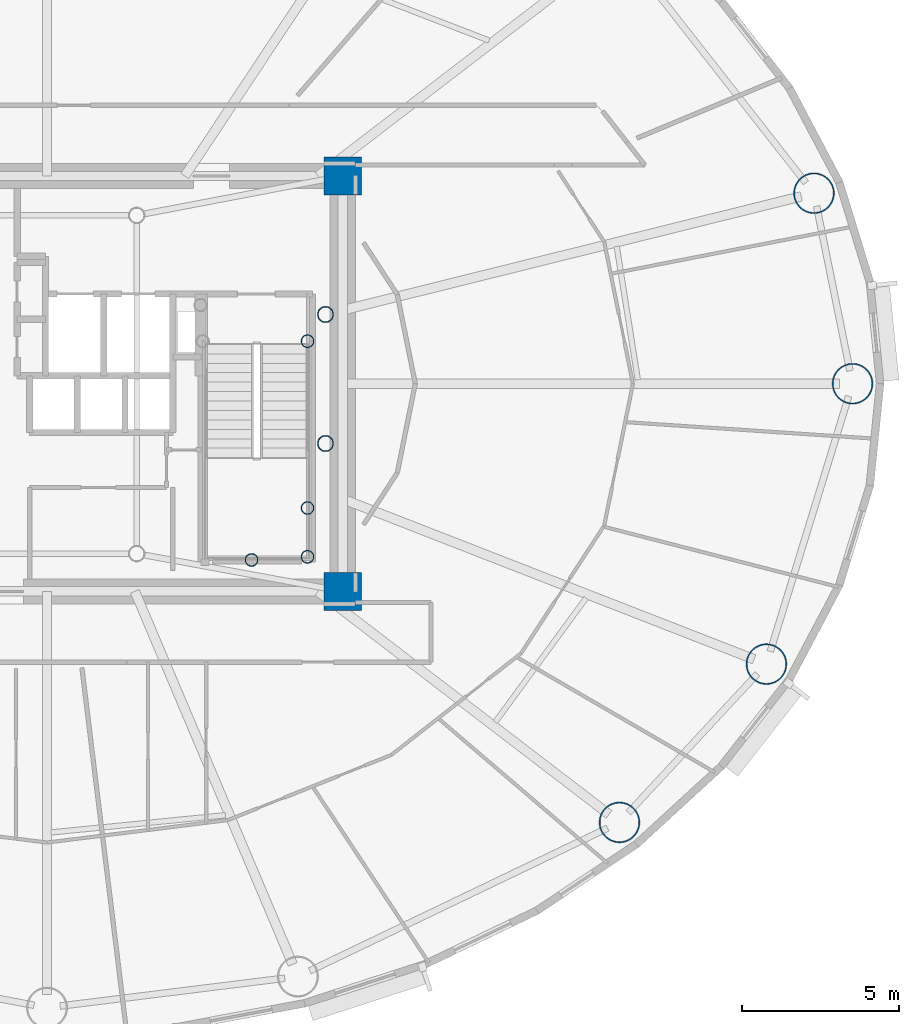
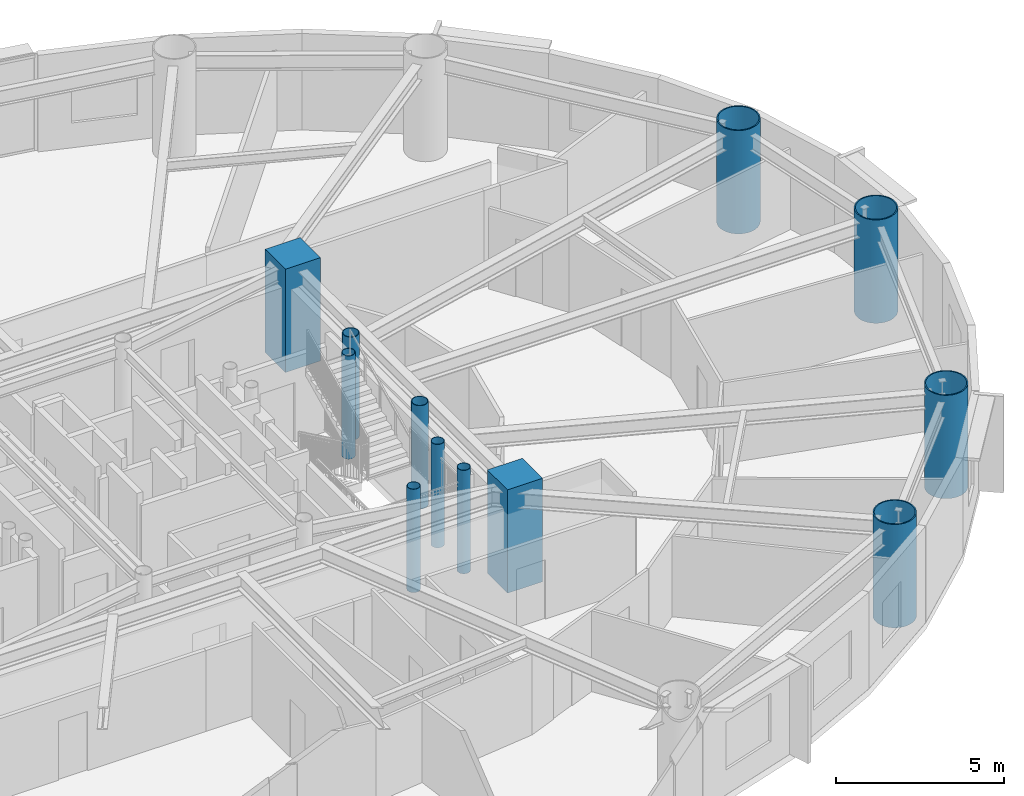
# One storey, part 2 of 18: 12 columns.
"""IFC4 building model written with IfcOpenShell, lengths in metres."""

from ifc_helpers import new_model, si_unit, direction, frame, origin, origin_2d, place, context, subcontext, project, spatial, rectangle, hollow_circle, extrude, material, material_profile, profile_set, type_object, element, save


model = new_model("IFC4")

# Units and contexts
model_context = context("Model", 3, precision=1e-05, world=origin(), true_north=direction((0.0, 1.0)))
body_context = subcontext(model_context, "Body", "Model", "MODEL_VIEW")
ifc_project = project(units=[si_unit("LENGTHUNIT", "METRE"), si_unit("AREAUNIT", "SQUARE_METRE"), si_unit("VOLUMEUNIT", "CUBIC_METRE"), si_unit("PLANEANGLEUNIT", "RADIAN"), si_unit("MASSUNIT", "GRAM", prefix="KILO")], contexts=[model_context])

# Site, building, storey
site_placement = place(None, origin())
site = spatial("IfcSite", under=ifc_project, at=site_placement, CompositionType="ELEMENT")
building_placement = place(site_placement, origin())
building = spatial("IfcBuilding", under=site, at=building_placement, Name="Linh Dai School and Residence Tower", CompositionType="ELEMENT")
storey_placement = place(building_placement, frame((0.0, 0.0, 167.39990234375)))
storey = spatial("IfcBuildingStorey", under=building, at=storey_placement, Name="L40", CompositionType="ELEMENT", Elevation=167.39990234375)

# Columns
ifc_material_1 = material(Name="Concrete B60 (C50/60)", Category="concrete")
ifc_material_profile_1 = material_profile(ifc_material_1, rectangle(XDim=1.199951171875, YDim=1.199951171875, at=origin_2d()), Name="RC 1200x1200")
ifc_profile_set_1 = profile_set([ifc_material_profile_1], Name="Concrete B60 (C50/60)")
column_type_1 = type_object("IfcColumnType", Name="COL-CC2", PredefinedType="COLUMN", material=ifc_profile_set_1)
for number, where, z_axis, x_axis, name in (
    (1, (45.39990234375, 20.39990234375, 0.0), (0.0, 0.0, 1.0), (1.0, 0.0, 0.0), "L40 Core Corner Pier CC2"),
    (2, (45.39990234375, 33.60009765625, 0.0), (0.0, 0.0, 1.0), (1.0, 0.0, 0.0), "L40 Core Corner Pier CC3"),
):
    element("IfcColumn", number, at=place(storey_placement, frame(where, z_axis=z_axis, x_axis=x_axis)), inside=storey, type_object=column_type_1, Name=name, PredefinedType="COLUMN", context=body_context, shape_type="SweptSolid", body=[
        extrude(rectangle(XDim=1.199951171875, YDim=1.199951171875, at=origin_2d()), origin(), (0.0, 0.0, 1.0), 3.75),
    ])
ifc_material_2 = material(Name="Structural Steel S355JR", Category="steel")
ifc_material_profile_2 = material_profile(ifc_material_2, hollow_circle(Radius=0.203125, WallThickness=0.01611328125, at=origin_2d()), Name="CHS 406.4x16")
ifc_profile_set_2 = profile_set([ifc_material_profile_2], Name="Structural Steel S355JR")
column_type_2 = type_object("IfcColumnType", Name="COL-EC", PredefinedType="COLUMN", material=ifc_profile_set_2)
for number, where, z_axis, x_axis, name in (
    (3, (44.280029296875, 21.5, 0.0), (0.0, 0.0, 1.0), (1.0, 0.0, 0.0), "L40 Stair Shaft Landing Support Pier ST2SE"),
    (4, (44.280029296875, 23.050048828125, 0.0), (0.0, 0.0, 1.0), (1.0, 0.0, 0.0), "L40 Stair Shaft Landing Support Pier ST2NE"),
    (5, (42.5, 21.39990234375, 0.0), (0.0, 0.0, 1.0), (1.0, 0.0, 0.0), "L40 Stair Shaft Landing Support Pier ST2MS"),
    (6, (44.280029296875, 28.35009765625, 0.0), (0.0, 0.0, 1.0), (1.0, 0.0, 0.0), "L40 Stair Shaft Landing Support Pier ST2N2"),
):
    element("IfcColumn", number, at=place(storey_placement, frame(where, z_axis=z_axis, x_axis=x_axis)), inside=storey, type_object=column_type_2, Name=name, PredefinedType="COLUMN", context=body_context, shape_type="SweptSolid", body=[
        extrude(hollow_circle(Radius=0.203125, WallThickness=0.01611328125, at=origin_2d()), origin(), (0.0, 0.0, 1.0), 3.75),
    ])
ifc_material_profile_3 = material_profile(ifc_material_2, hollow_circle(Radius=0.64990234375, WallThickness=0.0400390625, at=origin_2d()), Name="CHS 1300x40")
ifc_profile_set_3 = profile_set([ifc_material_profile_3], Name="Structural Steel S355JR")
column_type_3 = type_object("IfcColumnType", Name="COL-MC4", PredefinedType="COLUMN", material=ifc_profile_set_3)
for number, where, z_axis, x_axis, name in (
    (7, (61.60009765625, 27.0, 0.0), (0.0, 0.0, 1.0), (1.0, 0.0, 0.0), "L40 Perimeter CFT Mega-Column MC01"),
    (8, (60.37451171875, 33.053466796875, 0.0), (0.0, 0.0, 1.0), (1.0, 0.0, 0.0), "L40 Perimeter CFT Mega-Column MC02"),
    (9, (54.1923828125, 13.058349609375, 0.0), (0.0, 0.0, 1.0), (1.0, 0.0, 0.0), "L40 Perimeter CFT Mega-Column MC15"),
    (10, (58.862548828125, 18.0888671875, 0.0), (0.0, 0.0, 1.0), (1.0, 0.0, 0.0), "L40 Perimeter CFT Mega-Column MC16"),
):
    element("IfcColumn", number, at=place(storey_placement, frame(where, z_axis=z_axis, x_axis=x_axis)), inside=storey, type_object=column_type_3, Name=name, PredefinedType="COLUMN", context=body_context, shape_type="SweptSolid", body=[
        extrude(hollow_circle(Radius=0.64990234375, WallThickness=0.0400390625, at=origin_2d()), origin(), (0.0, 0.0, 1.0), 3.75),
    ])
ifc_material_profile_4 = material_profile(ifc_material_2, hollow_circle(Radius=0.25390625, WallThickness=0.02001953125, at=origin_2d()), Name="CHS 508x20")
ifc_profile_set_4 = profile_set([ifc_material_profile_4], Name="Structural Steel S355JR")
column_type_4 = type_object("IfcColumnType", Name="COL-MCP", PredefinedType="COLUMN", material=ifc_profile_set_4)
for number, where, z_axis, x_axis, name in (
    (11, (44.85009765625, 25.10009765625, 0.0), (0.0, 0.0, 1.0), (1.0, 0.0, 0.0), "L40 Sky-Lounge Core Anchor Pier S"),
    (12, (44.85009765625, 29.199951171875, 0.0), (0.0, 0.0, 1.0), (1.0, 0.0, 0.0), "L40 Sky-Lounge Core Anchor Pier N"),
):
    element("IfcColumn", number, at=place(storey_placement, frame(where, z_axis=z_axis, x_axis=x_axis)), inside=storey, type_object=column_type_4, Name=name, PredefinedType="COLUMN", context=body_context, shape_type="SweptSolid", body=[
        extrude(hollow_circle(Radius=0.25390625, WallThickness=0.02001953125, at=origin_2d()), origin(), (0.0, 0.0, 1.0), 3.75),
    ])

save(model, "model.ifc")
